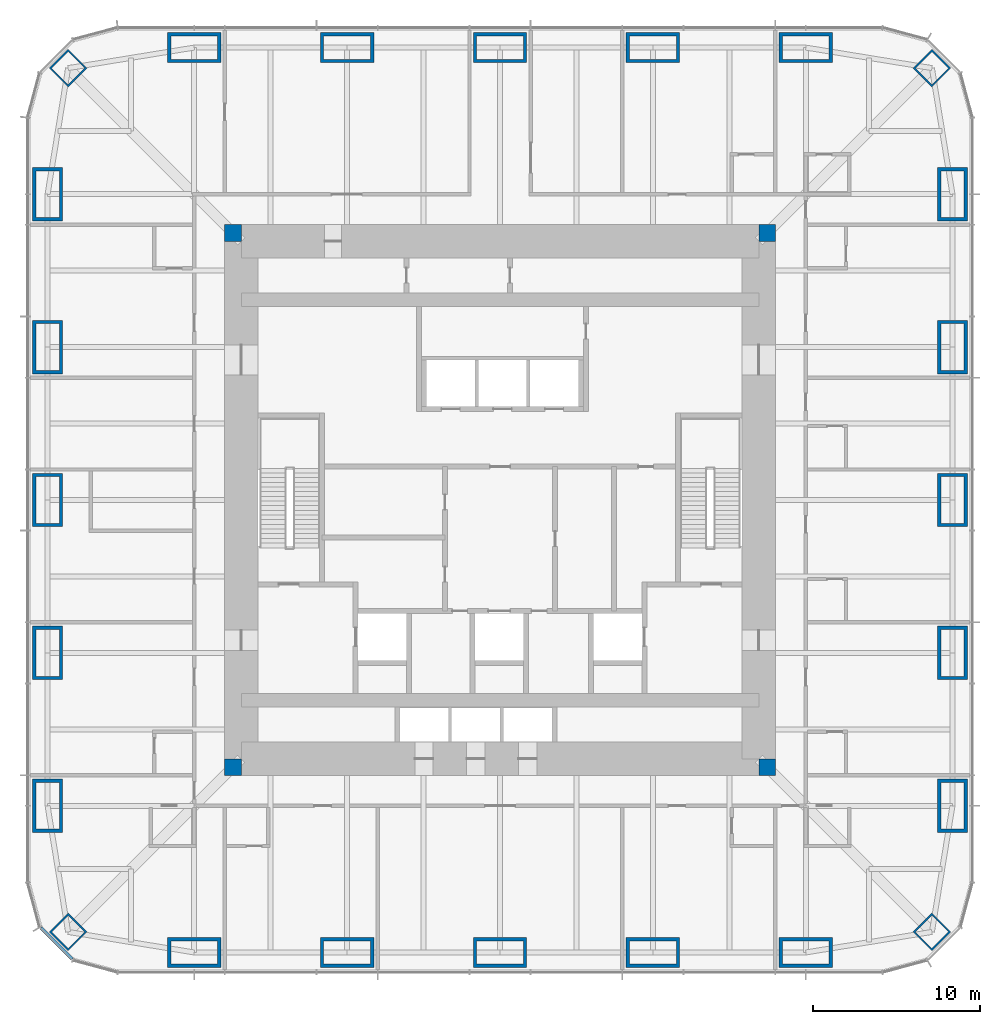
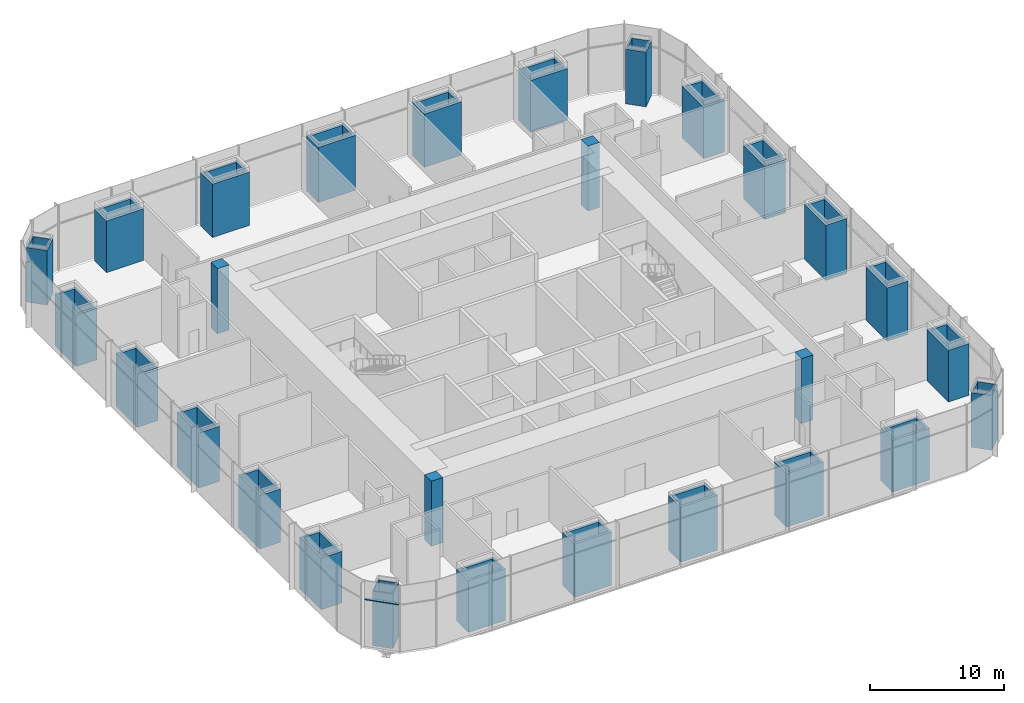
# One storey, part 1 of 12: 28 columns, 1 member, 1 element without a shape of its own.
"""IFC4 building model written with IfcOpenShell, lengths in metres."""

import ifcopenshell
import ifcopenshell.guid

model = None  # the IFC model being written
_history = None  # IfcOwnerHistory: only IFC2X3 demands one
_inside = {}  # id of a spatial element -> (the spatial element, [elements in it])
_under = {}  # id of a project, library or spatial element -> (it, [spatial elements below it])
_declared = {}  # id of a project -> (the project, [libraries it declares])
_typed = {}  # id of a type object -> (the type object, [elements of that type])
_made_of = {}  # id of a material, layer set ... -> (it, [elements and type objects made of it])


def new_model(schema):
    """Start an empty IFC model of exactly this schema.

    Asked for "IFC4X3", IfcOpenShell would pick the latest addendum, in which some entities
    have other attributes; the version numbers below select the first issue.
    IFC2X3 requires an IfcOwnerHistory on every rooted entity: one is made here for all.
    """
    global model, _history
    if schema == "IFC4X3":
        model = ifcopenshell.file(schema_version=(4, 3, 0, 0))
    else:
        model = ifcopenshell.file(schema=schema)
    _inside.clear()
    _under.clear()
    _declared.clear()
    _typed.clear()
    _made_of.clear()
    _history = None
    if model.schema == "IFC2X3":
        org = make("IfcOrganization", Name="unknown")
        user = make(
            "IfcPersonAndOrganization",
            ThePerson=make("IfcPerson", FamilyName="unknown"),
            TheOrganization=org,
        )
        app = make(
            "IfcApplication",
            ApplicationDeveloper=org,
            Version="unknown",
            ApplicationFullName="unknown",
            ApplicationIdentifier="unknown",
        )
        _history = make(
            "IfcOwnerHistory",
            OwningUser=user,
            OwningApplication=app,
            ChangeAction="ADDED",
            CreationDate=0,
        )
    return model


def make(cls, **values):
    """One entity of the class cls with the attributes given. An attribute that is None is left unset."""
    return model.create_entity(
        cls, **{name: value for name, value in values.items() if value is not None}
    )


def rooted(cls, **values):
    """An entity with a GlobalId (a new one), such as an element, a storey or a relation."""
    return make(cls, GlobalId=ifcopenshell.guid.new(), OwnerHistory=_history, **values)


def si_unit(unit_type, name, prefix=None):
    """IfcSIUnit, for example si_unit("LENGTHUNIT", "METRE", prefix="MILLI")."""
    return make("IfcSIUnit", UnitType=unit_type, Prefix=prefix, Name=name)


def assignment(units):
    """IfcUnitAssignment: the units of a project."""
    return None if units is None else make("IfcUnitAssignment", Units=units)


def point(xyz):
    """IfcCartesianPoint."""
    return None if xyz is None else make("IfcCartesianPoint", Coordinates=xyz)


def direction(xyz):
    """IfcDirection."""
    return None if xyz is None else make("IfcDirection", DirectionRatios=xyz)


def frame(location, z_axis=None, x_axis=None):
    """IfcAxis2Placement3D, a coordinate frame: its origin and axes. An axis left out is left unset."""
    return make(
        "IfcAxis2Placement3D",
        Location=point(location),
        Axis=direction(z_axis),
        RefDirection=direction(x_axis),
    )


def frame_2d(location, x_axis=None):
    """IfcAxis2Placement2D, a coordinate frame in the plane: its origin and x axis."""
    return make(
        "IfcAxis2Placement2D", Location=point(location), RefDirection=direction(x_axis)
    )


def origin():
    """The frame at (0, 0, 0) with its axes left unset."""
    return frame((0.0, 0.0, 0.0))


def origin_2d():
    """The frame at (0, 0) in the plane with its x axis left unset."""
    return frame_2d((0.0, 0.0))


def place(relative_to, where):
    """IfcLocalPlacement: puts the frame where relative to a parent placement (None: the world)."""
    return make(
        "IfcLocalPlacement", PlacementRelTo=relative_to, RelativePlacement=where
    )


def context(
    kind, dimensions, precision=None, world=None, true_north=None, identifier=None
):
    """IfcGeometricRepresentationContext, for example the 3D "Model" context."""
    return make(
        "IfcGeometricRepresentationContext",
        ContextIdentifier=identifier,
        ContextType=kind,
        CoordinateSpaceDimension=dimensions,
        Precision=precision,
        WorldCoordinateSystem=world,
        TrueNorth=true_north,
    )


def subcontext(parent, identifier, kind, view, scale=None):
    """IfcGeometricRepresentationSubContext, for example "Body" below "Model"."""
    return make(
        "IfcGeometricRepresentationSubContext",
        ContextIdentifier=identifier,
        ContextType=kind,
        ParentContext=parent,
        TargetScale=scale,
        TargetView=view,
    )


def project(units=None, contexts=None):
    """IfcProject with its units and contexts."""
    return rooted(
        "IfcProject",
        Name="project",
        RepresentationContexts=contexts,
        UnitsInContext=assignment(units),
    )


def spatial(cls, under=None, at=None, **own):
    """A site, building, storey or space (cls), placed at a placement, below another one or the project."""
    s = rooted(cls, ObjectPlacement=at, **own)
    if under is not None:
        _under.setdefault(under.id(), (under, []))[1].append(s)
    return s


def profile(cls, at=None, kind="AREA", **sizes):
    """A parametric profile (cls). Its sizes go by their IFC names, for example OverallWidth=200.0."""
    return make(cls, ProfileType=kind, Position=at, **sizes)


def rectangle(**sizes):
    """IfcRectangleProfileDef."""
    return profile("IfcRectangleProfileDef", **sizes)


def hollow_rectangle(**sizes):
    """IfcRectangleHollowProfileDef."""
    return profile("IfcRectangleHollowProfileDef", **sizes)


def extrude(swept, where, along, depth):
    """IfcExtrudedAreaSolid: the profile swept, set in the frame where, extruded along a direction by depth."""
    return make(
        "IfcExtrudedAreaSolid",
        SweptArea=swept,
        Position=where,
        ExtrudedDirection=direction(along),
        Depth=depth,
    )


def shape(context_of_items, identifier, shape_type, items):
    """IfcShapeRepresentation: the items that make up one representation, for example the "Body"."""
    return make(
        "IfcShapeRepresentation",
        ContextOfItems=context_of_items,
        RepresentationIdentifier=identifier,
        RepresentationType=shape_type,
        Items=items,
    )


def material(Name=None, Category=None):
    """IfcMaterial."""
    return make("IfcMaterial", Name=Name, Category=Category)


def material_profile(
    of_material, cross_section, Name=None, Category=None, Priority=None
):
    """IfcMaterialProfile: a cross section and its material."""
    return make(
        "IfcMaterialProfile",
        Name=Name,
        Material=of_material,
        Profile=cross_section,
        Priority=Priority,
        Category=Category,
    )


def profile_set(profiles, Name=None, composite=None):
    """IfcMaterialProfileSet."""
    return make(
        "IfcMaterialProfileSet",
        Name=Name,
        MaterialProfiles=profiles,
        CompositeProfile=composite,
    )


def made_of(thing, what):
    """Note that an element or type object is made of a material, layer set ...; save() writes the relation."""
    if what is not None:
        _made_of.setdefault(what.id(), (what, []))[1].append(thing)
    return thing


def type_object(cls, material=None, **own):
    """A type object (cls), such as IfcWallType, which elements share."""
    return made_of(rooted(cls, **own), material)


def element(
    cls,
    number,
    at=None,
    inside=None,
    cuts=None,
    type_object=None,
    material=None,
    context=None,
    identifier="Body",
    shape_type=None,
    held_by="IfcProductDefinitionShape",
    body=None,
    shapes=None,
    **own,
):
    """One element of the class cls, such as IfcWall. Its Tag is "e" and its number.

    at: its placement. inside: the storey or other place that contains it. cuts: it is an
    opening in that element (IfcRelVoidsElement). A single representation is given by context,
    identifier, shape_type and body (its items); several are given by shapes. held_by: the class
    of the entity that holds the representations. save() writes the other relations.
    """
    e = rooted(cls, Tag="e%d" % number, ObjectPlacement=at, **own)
    if body is not None:
        shapes = [shape(context, identifier, shape_type, body)]
    if shapes is not None:
        e.Representation = make(held_by, Representations=shapes)
    if inside is not None:
        _inside.setdefault(inside.id(), (inside, []))[1].append(e)
    if cuts is not None:
        rooted(
            "IfcRelVoidsElement", RelatingBuildingElement=cuts, RelatedOpeningElement=e
        )
    if type_object is not None:
        _typed.setdefault(type_object.id(), (type_object, []))[1].append(e)
    return made_of(e, material)


def aggregate(whole, parts):
    """IfcRelAggregates: a whole, such as a stair, and the parts it consists of."""
    return rooted("IfcRelAggregates", RelatingObject=whole, RelatedObjects=parts)


def save(model, path):
    """Write the relations noted so far, then the file.

    IfcRelAggregates (storeys below a building ...), IfcRelContainedInSpatialStructure (elements
    in a storey), IfcRelDefinesByType, IfcRelAssociatesMaterial and IfcRelDeclares: one each for
    every whole, place, type object, material and project.
    """
    for whole, parts in _under.values():
        aggregate(whole, parts)
    for where, things in _inside.values():
        rooted(
            "IfcRelContainedInSpatialStructure",
            RelatedElements=things,
            RelatingStructure=where,
        )
    for kind, things in _typed.values():
        rooted("IfcRelDefinesByType", RelatedObjects=things, RelatingType=kind)
    for what, things in _made_of.values():
        rooted("IfcRelAssociatesMaterial", RelatedObjects=things, RelatingMaterial=what)
    for by, libraries in _declared.values():
        rooted("IfcRelDeclares", RelatingContext=by, RelatedDefinitions=libraries)
    model.write(path)


model = new_model("IFC4")

# Units and contexts
model_context = context("Model", 3, precision=1e-05, world=origin(), true_north=direction((0.0, 1.0)))
body_context = subcontext(model_context, "Body", "Model", "MODEL_VIEW")
ifc_project = project(units=[si_unit("LENGTHUNIT", "METRE"), si_unit("AREAUNIT", "SQUARE_METRE"), si_unit("VOLUMEUNIT", "CUBIC_METRE"), si_unit("PLANEANGLEUNIT", "RADIAN"), si_unit("MASSUNIT", "GRAM", prefix="KILO")], contexts=[model_context])

# Site, building, storey
site_placement = place(None, origin())
site = spatial("IfcSite", under=ifc_project, at=site_placement, CompositionType="ELEMENT")
building_placement = place(site_placement, origin())
building = spatial("IfcBuilding", under=site, at=building_placement, Name="Khuree Lantern Residences", CompositionType="ELEMENT")
storey_placement = place(building_placement, frame((0.0, 0.0, 186.0)))
storey = spatial("IfcBuildingStorey", under=building, at=storey_placement, Name="L47", CompositionType="ELEMENT", Elevation=186.0)

# Columns
ifc_material_1 = material(Name="Steel S355 CFT welded box", Category="steel")
ifc_material_profile_1 = material_profile(ifc_material_1, hollow_rectangle(XDim=1.60009765625, YDim=1.60009765625, WallThickness=0.10009765625, at=origin_2d()), Name="WELDED BOX 1600X1600X100")
ifc_profile_set_1 = profile_set([ifc_material_profile_1], Name="Steel S355 CFT welded box")
column_type_1 = type_object("IfcColumnType", Name="CC1600 PERIMETER CORNER MEGA COLUMN WELDED BOX 1600X1600X100", PredefinedType="COLUMN", material=ifc_profile_set_1)
for number, where, z_axis, x_axis, name in (
    (1, (25.869873046875, 25.869873046875, 0.0), (0.0, 0.0, 1.0), (0.707106781187, -0.707106781187, 0.0), "Perimeter column NE"),
    (2, (25.869873046875, -25.869873046875, 0.0), (0.0, 0.0, 1.0), (0.707106781187, 0.707106781187, 0.0), "Perimeter column SE"),
    (3, (-25.869873046875, -25.869873046875, 0.0), (0.0, 0.0, 1.0), (0.707106781187, -0.707106781187, 0.0), "Perimeter column SW"),
    (4, (-25.869873046875, 25.869873046875, 0.0), (0.0, 0.0, 1.0), (0.707106781187, 0.707106781187, 0.0), "Perimeter column NW"),
):
    element("IfcColumn", number, at=place(storey_placement, frame(where, z_axis=z_axis, x_axis=x_axis)), inside=storey, type_object=column_type_1, Name=name, PredefinedType="COLUMN", context=body_context, shape_type="SweptSolid", body=[
        extrude(hollow_rectangle(XDim=1.60009765625, YDim=1.60009765625, WallThickness=0.10009765625, at=origin_2d()), origin(), (0.0, 0.0, 1.0), 4.989990234375),
    ])
ifc_material_2 = material(Name="Concrete C70/85", Category="concrete")
ifc_material_profile_2 = material_profile(ifc_material_2, rectangle(XDim=1.0, YDim=1.0, at=origin_2d()), Name="RC 1000X1000")
ifc_profile_set_2 = profile_set([ifc_material_profile_2], Name="Concrete C70/85")
column_type_2 = type_object("IfcColumnType", Name="CP1000-C70 CORE CORNER PIER C70 RC 1000X1000", PredefinedType="COLUMN", material=ifc_profile_set_2)
for number, where, z_axis, x_axis, name in (
    (5, (16.0, 16.0, -0.300048828125), (0.0, 0.0, 1.0), (1.0, 0.0, 0.0), "Core corner pier NE"),
    (6, (-16.0, 16.0, -0.300048828125), (0.0, 0.0, 1.0), (1.0, 0.0, 0.0), "Core corner pier NW"),
    (7, (-16.0, -16.0, -0.300048828125), (0.0, 0.0, 1.0), (1.0, 0.0, 0.0), "Core corner pier SW"),
    (8, (16.0, -16.0, -0.300048828125), (0.0, 0.0, 1.0), (1.0, 0.0, 0.0), "Core corner pier SE"),
):
    element("IfcColumn", number, at=place(storey_placement, frame(where, z_axis=z_axis, x_axis=x_axis)), inside=storey, type_object=column_type_2, Name=name, PredefinedType="COLUMN", context=body_context, shape_type="SweptSolid", body=[
        extrude(rectangle(XDim=1.0, YDim=1.0, at=origin_2d()), origin(), (0.0, 0.0, 1.0), 5.949951171875),
    ])
ifc_material_profile_3 = material_profile(ifc_material_1, hollow_rectangle(XDim=3.199951171875, YDim=1.800048828125, WallThickness=0.199951171875, at=origin_2d()), Name="WELDED BOX 3200X1800X200")
ifc_profile_set_3 = profile_set([ifc_material_profile_3], Name="Steel S355 CFT welded box")
column_type_3 = type_object("IfcColumnType", Name="SC1 PERIMETER MEGA COLUMN WELDED BOX 3200X1800X200", PredefinedType="COLUMN", material=ifc_profile_set_3)
column_1_placement = place(storey_placement, frame((-18.320068359375, 27.10009765625, 0.0), z_axis=(0.0, 0.0, 1.0), x_axis=(1.0, 0.0, 0.0)))
element("IfcColumn", 9, at=column_1_placement, inside=storey, type_object=column_type_3, Name="Perimeter column N1", PredefinedType="COLUMN", context=body_context, shape_type="SweptSolid", body=[
    extrude(hollow_rectangle(XDim=3.199951171875, YDim=1.800048828125, WallThickness=0.199951171875, at=origin_2d()), origin(), (0.0, 0.0, 1.0), 4.719970703125),
])
column_2_placement = place(storey_placement, frame((-9.159912109375, 27.10009765625, 0.0), z_axis=(0.0, 0.0, 1.0), x_axis=(1.0, 0.0, 0.0)))
element("IfcColumn", 10, at=column_2_placement, inside=storey, type_object=column_type_3, Name="Perimeter column N2", PredefinedType="COLUMN", context=body_context, shape_type="SweptSolid", body=[
    extrude(hollow_rectangle(XDim=3.199951171875, YDim=1.800048828125, WallThickness=0.199951171875, at=origin_2d()), origin(), (0.0, 0.0, 1.0), 4.8701171875),
])
column_3_placement = place(storey_placement, frame((0.0, 27.10009765625, 0.0), z_axis=(0.0, 0.0, 1.0), x_axis=(1.0, 0.0, 0.0)))
element("IfcColumn", 11, at=column_3_placement, inside=storey, type_object=column_type_3, Name="Perimeter column N3", PredefinedType="COLUMN", context=body_context, shape_type="SweptSolid", body=[
    extrude(hollow_rectangle(XDim=3.199951171875, YDim=1.800048828125, WallThickness=0.199951171875, at=origin_2d()), origin(), (0.0, 0.0, 1.0), 5.030029296875),
])
column_4_placement = place(storey_placement, frame((9.159912109375, 27.10009765625, 0.0), z_axis=(0.0, 0.0, 1.0), x_axis=(1.0, 0.0, 0.0)))
element("IfcColumn", 12, at=column_4_placement, inside=storey, type_object=column_type_3, Name="Perimeter column N4", PredefinedType="COLUMN", context=body_context, shape_type="SweptSolid", body=[
    extrude(hollow_rectangle(XDim=3.199951171875, YDim=1.800048828125, WallThickness=0.199951171875, at=origin_2d()), origin(), (0.0, 0.0, 1.0), 4.8701171875),
])
for number, where, z_axis, x_axis, name in (
    (13, (18.320068359375, 27.10009765625, 0.0), (0.0, 0.0, 1.0), (1.0, 0.0, 0.0), "Perimeter column N5"),
    (14, (27.10009765625, 18.320068359375, 0.0), (0.0, 0.0, 1.0), (0.0, 1.0, 0.0), "Perimeter column E1"),
):
    element("IfcColumn", number, at=place(storey_placement, frame(where, z_axis=z_axis, x_axis=x_axis)), inside=storey, type_object=column_type_3, Name=name, PredefinedType="COLUMN", context=body_context, shape_type="SweptSolid", body=[
        extrude(hollow_rectangle(XDim=3.199951171875, YDim=1.800048828125, WallThickness=0.199951171875, at=origin_2d()), origin(), (0.0, 0.0, 1.0), 4.719970703125),
    ])
column_5_placement = place(storey_placement, frame((27.10009765625, 9.159912109375, 0.0), z_axis=(0.0, 0.0, 1.0), x_axis=(0.0, 1.0, 0.0)))
element("IfcColumn", 15, at=column_5_placement, inside=storey, type_object=column_type_3, Name="Perimeter column E2", PredefinedType="COLUMN", context=body_context, shape_type="SweptSolid", body=[
    extrude(hollow_rectangle(XDim=3.199951171875, YDim=1.800048828125, WallThickness=0.199951171875, at=origin_2d()), origin(), (0.0, 0.0, 1.0), 4.8701171875),
])
column_6_placement = place(storey_placement, frame((27.10009765625, 0.0, 0.0), z_axis=(0.0, 0.0, 1.0), x_axis=(0.0, 1.0, 0.0)))
element("IfcColumn", 16, at=column_6_placement, inside=storey, type_object=column_type_3, Name="Perimeter column E3", PredefinedType="COLUMN", context=body_context, shape_type="SweptSolid", body=[
    extrude(hollow_rectangle(XDim=3.199951171875, YDim=1.800048828125, WallThickness=0.199951171875, at=origin_2d()), origin(), (0.0, 0.0, 1.0), 5.030029296875),
])
column_7_placement = place(storey_placement, frame((27.10009765625, -9.159912109375, 0.0), z_axis=(0.0, 0.0, 1.0), x_axis=(0.0, 1.0, 0.0)))
element("IfcColumn", 17, at=column_7_placement, inside=storey, type_object=column_type_3, Name="Perimeter column E4", PredefinedType="COLUMN", context=body_context, shape_type="SweptSolid", body=[
    extrude(hollow_rectangle(XDim=3.199951171875, YDim=1.800048828125, WallThickness=0.199951171875, at=origin_2d()), origin(), (0.0, 0.0, 1.0), 4.8701171875),
])
for number, where, z_axis, x_axis, name in (
    (18, (27.10009765625, -18.320068359375, 0.0), (0.0, 0.0, 1.0), (0.0, 1.0, 0.0), "Perimeter column E5"),
    (19, (18.320068359375, -27.10009765625, 0.0), (0.0, 0.0, 1.0), (1.0, 0.0, 0.0), "Perimeter column S1"),
):
    element("IfcColumn", number, at=place(storey_placement, frame(where, z_axis=z_axis, x_axis=x_axis)), inside=storey, type_object=column_type_3, Name=name, PredefinedType="COLUMN", context=body_context, shape_type="SweptSolid", body=[
        extrude(hollow_rectangle(XDim=3.199951171875, YDim=1.800048828125, WallThickness=0.199951171875, at=origin_2d()), origin(), (0.0, 0.0, 1.0), 4.719970703125),
    ])
column_8_placement = place(storey_placement, frame((9.159912109375, -27.10009765625, 0.0), z_axis=(0.0, 0.0, 1.0), x_axis=(1.0, 0.0, 0.0)))
element("IfcColumn", 20, at=column_8_placement, inside=storey, type_object=column_type_3, Name="Perimeter column S2", PredefinedType="COLUMN", context=body_context, shape_type="SweptSolid", body=[
    extrude(hollow_rectangle(XDim=3.199951171875, YDim=1.800048828125, WallThickness=0.199951171875, at=origin_2d()), origin(), (0.0, 0.0, 1.0), 4.8701171875),
])
column_9_placement = place(storey_placement, frame((0.0, -27.10009765625, 0.0), z_axis=(0.0, 0.0, 1.0), x_axis=(1.0, 0.0, 0.0)))
element("IfcColumn", 21, at=column_9_placement, inside=storey, type_object=column_type_3, Name="Perimeter column S3", PredefinedType="COLUMN", context=body_context, shape_type="SweptSolid", body=[
    extrude(hollow_rectangle(XDim=3.199951171875, YDim=1.800048828125, WallThickness=0.199951171875, at=origin_2d()), origin(), (0.0, 0.0, 1.0), 5.030029296875),
])
column_10_placement = place(storey_placement, frame((-9.159912109375, -27.10009765625, 0.0), z_axis=(0.0, 0.0, 1.0), x_axis=(1.0, 0.0, 0.0)))
element("IfcColumn", 22, at=column_10_placement, inside=storey, type_object=column_type_3, Name="Perimeter column S4", PredefinedType="COLUMN", context=body_context, shape_type="SweptSolid", body=[
    extrude(hollow_rectangle(XDim=3.199951171875, YDim=1.800048828125, WallThickness=0.199951171875, at=origin_2d()), origin(), (0.0, 0.0, 1.0), 4.8701171875),
])
for number, where, z_axis, x_axis, name in (
    (23, (-18.320068359375, -27.10009765625, 0.0), (0.0, 0.0, 1.0), (1.0, 0.0, 0.0), "Perimeter column S5"),
    (24, (-27.10009765625, -18.320068359375, 0.0), (0.0, 0.0, 1.0), (0.0, 1.0, 0.0), "Perimeter column W1"),
):
    element("IfcColumn", number, at=place(storey_placement, frame(where, z_axis=z_axis, x_axis=x_axis)), inside=storey, type_object=column_type_3, Name=name, PredefinedType="COLUMN", context=body_context, shape_type="SweptSolid", body=[
        extrude(hollow_rectangle(XDim=3.199951171875, YDim=1.800048828125, WallThickness=0.199951171875, at=origin_2d()), origin(), (0.0, 0.0, 1.0), 4.719970703125),
    ])
column_11_placement = place(storey_placement, frame((-27.10009765625, -9.159912109375, 0.0), z_axis=(0.0, 0.0, 1.0), x_axis=(0.0, 1.0, 0.0)))
element("IfcColumn", 25, at=column_11_placement, inside=storey, type_object=column_type_3, Name="Perimeter column W2", PredefinedType="COLUMN", context=body_context, shape_type="SweptSolid", body=[
    extrude(hollow_rectangle(XDim=3.199951171875, YDim=1.800048828125, WallThickness=0.199951171875, at=origin_2d()), origin(), (0.0, 0.0, 1.0), 4.8701171875),
])
column_12_placement = place(storey_placement, frame((-27.10009765625, 0.0, 0.0), z_axis=(0.0, 0.0, 1.0), x_axis=(0.0, 1.0, 0.0)))
element("IfcColumn", 26, at=column_12_placement, inside=storey, type_object=column_type_3, Name="Perimeter column W3", PredefinedType="COLUMN", context=body_context, shape_type="SweptSolid", body=[
    extrude(hollow_rectangle(XDim=3.199951171875, YDim=1.800048828125, WallThickness=0.199951171875, at=origin_2d()), origin(), (0.0, 0.0, 1.0), 5.030029296875),
])
column_13_placement = place(storey_placement, frame((-27.10009765625, 9.159912109375, 0.0), z_axis=(0.0, 0.0, 1.0), x_axis=(0.0, 1.0, 0.0)))
element("IfcColumn", 27, at=column_13_placement, inside=storey, type_object=column_type_3, Name="Perimeter column W4", PredefinedType="COLUMN", context=body_context, shape_type="SweptSolid", body=[
    extrude(hollow_rectangle(XDim=3.199951171875, YDim=1.800048828125, WallThickness=0.199951171875, at=origin_2d()), origin(), (0.0, 0.0, 1.0), 4.8701171875),
])
column_14_placement = place(storey_placement, frame((-27.10009765625, 18.320068359375, 0.0), z_axis=(0.0, 0.0, 1.0), x_axis=(0.0, 1.0, 0.0)))
element("IfcColumn", 28, at=column_14_placement, inside=storey, type_object=column_type_3, Name="Perimeter column W5", PredefinedType="COLUMN", context=body_context, shape_type="SweptSolid", body=[
    extrude(hollow_rectangle(XDim=3.199951171875, YDim=1.800048828125, WallThickness=0.199951171875, at=origin_2d()), origin(), (0.0, 0.0, 1.0), 4.719970703125),
])

# Curtain wall, member
ifc_material_3 = material(Name="Bronze anodised aluminium", Category="aluminium")
curtain_wall_type = type_object("IfcCurtainWallType", Name="CW-S SKY STOREY FULL-HEIGHT CURTAIN WALL", PredefinedType="USERDEFINED", material=ifc_material_3)
curtain_wall_placement = place(storey_placement, origin())
curtain_wall = element("IfcCurtainWall", 29, at=curtain_wall_placement, inside=storey, type_object=curtain_wall_type, Name="L47 SOUTH-WEST CORNER CURTAIN WALL", ObjectType="Full-height curtain wall", PredefinedType="USERDEFINED")
ifc_material_profile_4 = material_profile(ifc_material_3, rectangle(XDim=0.199951171875, YDim=0.074951171875, at=origin_2d()), Name="T3 200X75")
ifc_profile_set_4 = profile_set([ifc_material_profile_4], Name="Bronze anodised aluminium")
member_type = type_object("IfcMemberType", Name="TRANSOM T3 SKY 200X75", PredefinedType="USERDEFINED", material=ifc_profile_set_4)
member_placement = place(storey_placement, frame((-27.503173828125, -25.630859375, 4.300048828125), z_axis=(0.707106781187, -0.707106781187, 0.0), x_axis=(0.707106781187, 0.707106781187, 0.0)))
member = element("IfcMember", 30, at=member_placement, type_object=member_type, Name="L47 SOUTH-WEST CORNER TRANSOM 44.1", ObjectType="Transom", PredefinedType="USERDEFINED", context=body_context, shape_type="SweptSolid", body=[
    extrude(rectangle(XDim=0.199951171875, YDim=0.074951171875, at=origin_2d()), origin(), (0.0, 0.0, 1.0), 2.64794921875),
])
aggregate(curtain_wall, [member])

save(model, "model.ifc")
